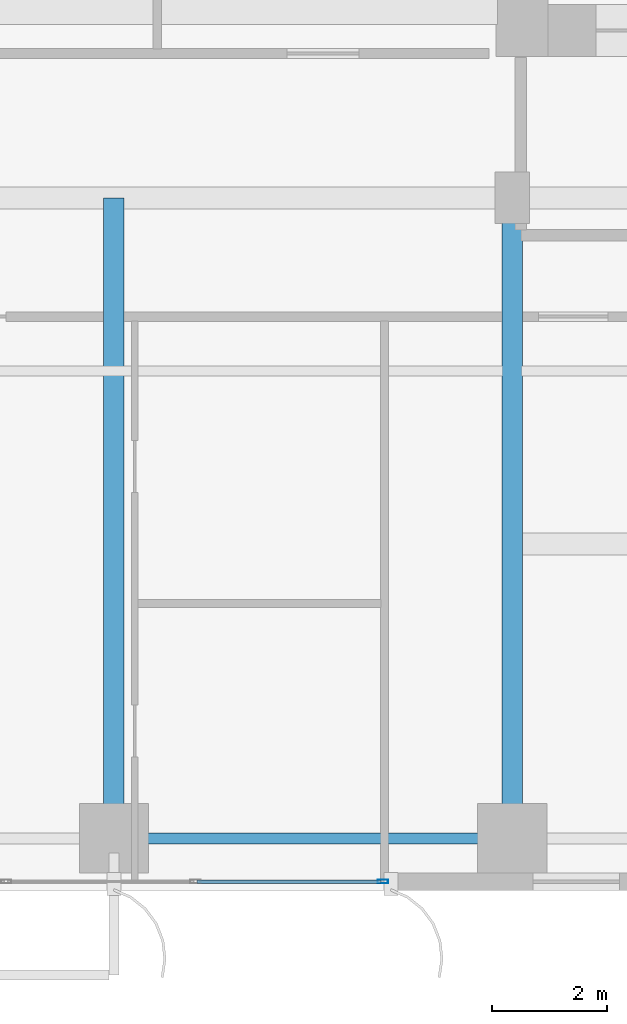
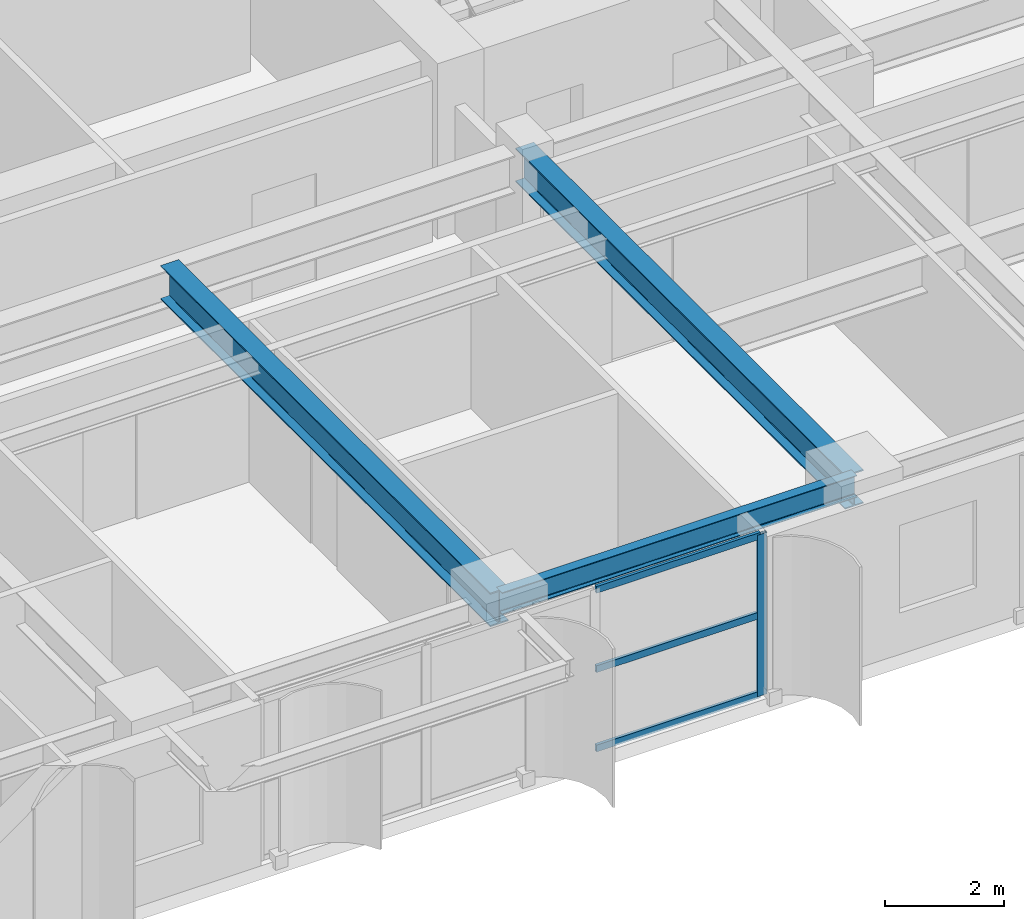
# One storey, part 3 of 22: 4 members, 3 beams, 1 element without a shape of its own.
"""IFC4 building model written with IfcOpenShell, lengths in metres."""

from ifc_helpers import new_model, si_unit, direction, frame, origin, origin_2d, place, context, subcontext, project, spatial, hollow_rectangle, i_section, extrude, source, transform, mapped, material, layer, layer_set, material_profile, profile_set, type_object, element, aggregate, save


model = new_model("IFC4")

# Units and contexts
model_context = context("Model", 3, precision=1e-05, world=origin(), true_north=direction((0.0, 1.0)))
body_context = subcontext(model_context, "Body", "Model", "MODEL_VIEW")
ifc_project = project(units=[si_unit("LENGTHUNIT", "METRE"), si_unit("AREAUNIT", "SQUARE_METRE"), si_unit("VOLUMEUNIT", "CUBIC_METRE"), si_unit("PLANEANGLEUNIT", "RADIAN"), si_unit("MASSUNIT", "GRAM", prefix="KILO")], contexts=[model_context])

# Site, building, storey
site_placement = place(None, origin())
site = spatial("IfcSite", under=ifc_project, at=site_placement, CompositionType="ELEMENT")
building_placement = place(site_placement, origin())
building = spatial("IfcBuilding", under=site, at=building_placement, Name="Khoralis Quay Care Tower", CompositionType="ELEMENT")
storey_placement = place(building_placement, frame((0.0, 0.0, 44.10009765625)))
storey = spatial("IfcBuildingStorey", under=building, at=storey_placement, Name="L11", CompositionType="ELEMENT", Elevation=44.10009765625)

# Beams
ifc_material_1 = material(Name="Steel S355", Category="steel")
ifc_material_profile_1 = material_profile(ifc_material_1, i_section(OverallWidth=0.18994140625, OverallDepth=0.449951171875, WebThickness=0.009521484375, FlangeThickness=0.0146484375, FilletRadius=0.02099609375, at=origin_2d()), Name="Steel S355")
ifc_profile_set_1 = profile_set([ifc_material_profile_1], Name="Steel S355")
beam_type_1 = type_object("IfcBeamType", Name="BM-IPE450", PredefinedType="SPANDREL", material=ifc_profile_set_1)
shared_shape_1 = source(origin(), body_context, "Body", "SweptSolid", [
    extrude(i_section(OverallWidth=0.18994140625, OverallDepth=0.449951171875, WebThickness=0.009521484375, FlangeThickness=0.0146484375, FilletRadius=0.02099609375, at=origin_2d()), origin(), (0.0, 0.0, 1.0), 6.89990234375),
])
beam_placement = place(storey_placement, frame((24.0, 0.89990234375, 3.094970703125), z_axis=(1.0, 0.0, 0.0), x_axis=(0.0, 1.0, 0.0)))
element("IfcBeam", 1, at=beam_placement, inside=storey, type_object=beam_type_1, Name="BM-TSP-L11-04", PredefinedType="SPANDREL", context=body_context, shape_type="MappedRepresentation", body=[
    mapped(shared_shape_1, transform((0.0, 0.0, 0.0), scale=1.0)),
])
ifc_material_profile_2 = material_profile(ifc_material_1, i_section(OverallWidth=0.35498046875, OverallDepth=0.695068359375, WebThickness=0.015380859375, FlangeThickness=0.02490234375, FilletRadius=0.02001953125, at=origin_2d()), Name="Steel S355")
ifc_profile_set_2 = profile_set([ifc_material_profile_2], Name="Steel S355")
beam_type_2 = type_object("IfcBeamType", Name="BM-W690X217", PredefinedType="BEAM", material=ifc_profile_set_2)
shared_shape_2 = source(origin(), body_context, "Body", "SweptSolid", [
    extrude(i_section(OverallWidth=0.35498046875, OverallDepth=0.695068359375, WebThickness=0.015380859375, FlangeThickness=0.02490234375, FilletRadius=0.02001953125, at=origin_2d()), origin(), (0.0, 0.0, 1.0), 11.10009765625),
])
for number, where, z_axis, x_axis, name in (
    (2, (24.0, 0.89990234375, 2.972412109375), (0.0, 1.0, 0.0), (-1.0, 0.0, 0.0), "BM-TGYS-L11-240"),
    (3, (30.89990234375, 0.89990234375, 2.972412109375), (0.0, 1.0, 0.0), (-1.0, 0.0, 0.0), "BM-TGYS-L11-309"),
):
    element("IfcBeam", number, at=place(storey_placement, frame(where, z_axis=z_axis, x_axis=x_axis)), inside=storey, type_object=beam_type_2, Name=name, PredefinedType="BEAM", context=body_context, shape_type="MappedRepresentation", body=[
        mapped(shared_shape_2, transform((0.0, 0.0, 0.0), scale=1.0)),
    ])

# Curtain wall, members
ifc_material_2 = material(Name="Pale anodised aluminium", Category="aluminium")
ifc_layer = layer(ifc_material_2, 0.179931640625)
ifc_layer_set = layer_set([ifc_layer], Name="Pale anodised aluminium")
curtain_wall_type = type_object("IfcCurtainWallType", Name="CW-SYS-Z1", PredefinedType="NOTDEFINED", material=ifc_layer_set)
curtain_wall_placement = place(storey_placement, origin())
curtain_wall = element("IfcCurtainWall", 4, at=curtain_wall_placement, inside=storey, type_object=curtain_wall_type, Name="L11 Unitised Curtain Wall CW-L11-P1-E0", PredefinedType="NOTDEFINED")
ifc_material_profile_3 = material_profile(ifc_material_2, hollow_rectangle(XDim=0.06494140625, YDim=0.179931640625, WallThickness=0.00390625, at=origin_2d()), Name="Pale anodised aluminium")
ifc_profile_set_3 = profile_set([ifc_material_profile_3], Name="Pale anodised aluminium")
member_type_1 = type_object("IfcMemberType", Name="CW-MUL-180", PredefinedType="MULLION", material=ifc_profile_set_3)
shared_shape_3 = source(origin(), body_context, "Body", "SweptSolid", [
    extrude(hollow_rectangle(XDim=0.06494140625, YDim=0.179931640625, WallThickness=0.00390625, at=origin_2d()), origin(), (0.0, 0.0, 1.0), 3.31982421875),
])
member_1_placement = place(storey_placement, frame((28.659912109375, 0.14990234375, 0.0), z_axis=(0.0, 0.0, 1.0), x_axis=(0.0, 1.0, 0.0)))
member_1 = element("IfcMember", 5, at=member_1_placement, type_object=member_type_1, Name="CW1 mullion 4", PredefinedType="MULLION", context=body_context, shape_type="MappedRepresentation", body=[
    mapped(shared_shape_3, transform((0.0, 0.0, 0.0), scale=1.0)),
])
ifc_material_profile_4 = material_profile(ifc_material_2, hollow_rectangle(XDim=0.06005859375, YDim=0.139892578125, WallThickness=0.00390625, at=origin_2d()), Name="Pale anodised aluminium")
ifc_profile_set_4 = profile_set([ifc_material_profile_4], Name="Pale anodised aluminium")
member_type_2 = type_object("IfcMemberType", Name="CW-TRN-140", PredefinedType="USERDEFINED", material=ifc_profile_set_4)
shared_shape_4 = source(origin(), body_context, "Body", "SweptSolid", [
    extrude(hollow_rectangle(XDim=0.06005859375, YDim=0.139892578125, WallThickness=0.00390625, at=origin_2d()), origin(), (0.0, 0.0, 1.0), 3.18994140625),
])
member_2_placement = place(storey_placement, frame((25.43994140625, 0.14990234375, 0.02978515625), z_axis=(1.0, 0.0, 0.0), x_axis=(0.0, 1.0, 0.0)))
member_2 = element("IfcMember", 6, at=member_2_placement, type_object=member_type_2, Name="CW1 transom 3.1", ObjectType="TRANSOM", PredefinedType="USERDEFINED", context=body_context, shape_type="MappedRepresentation", body=[
    mapped(shared_shape_4, transform((0.0, 0.0, 0.0), scale=1.0)),
])
member_3_placement = place(storey_placement, frame((25.43994140625, 0.14990234375, 1.659912109375), z_axis=(1.0, 0.0, 0.0), x_axis=(0.0, 1.0, 0.0)))
member_3 = element("IfcMember", 7, at=member_3_placement, type_object=member_type_2, Name="CW1 transom 3.2", ObjectType="TRANSOM", PredefinedType="USERDEFINED", context=body_context, shape_type="MappedRepresentation", body=[
    mapped(shared_shape_4, transform((0.0, 0.0, 0.0), scale=1.0)),
])
member_4_placement = place(storey_placement, frame((25.43994140625, 0.14990234375, 3.289794921875), z_axis=(1.0, 0.0, 0.0), x_axis=(0.0, 1.0, 0.0)))
member_4 = element("IfcMember", 8, at=member_4_placement, type_object=member_type_2, Name="CW1 transom 3.3", ObjectType="TRANSOM", PredefinedType="USERDEFINED", context=body_context, shape_type="MappedRepresentation", body=[
    mapped(shared_shape_4, transform((0.0, 0.0, 0.0), scale=1.0)),
])
aggregate(curtain_wall, [member_1, member_2, member_3, member_4])

save(model, "model.ifc")
